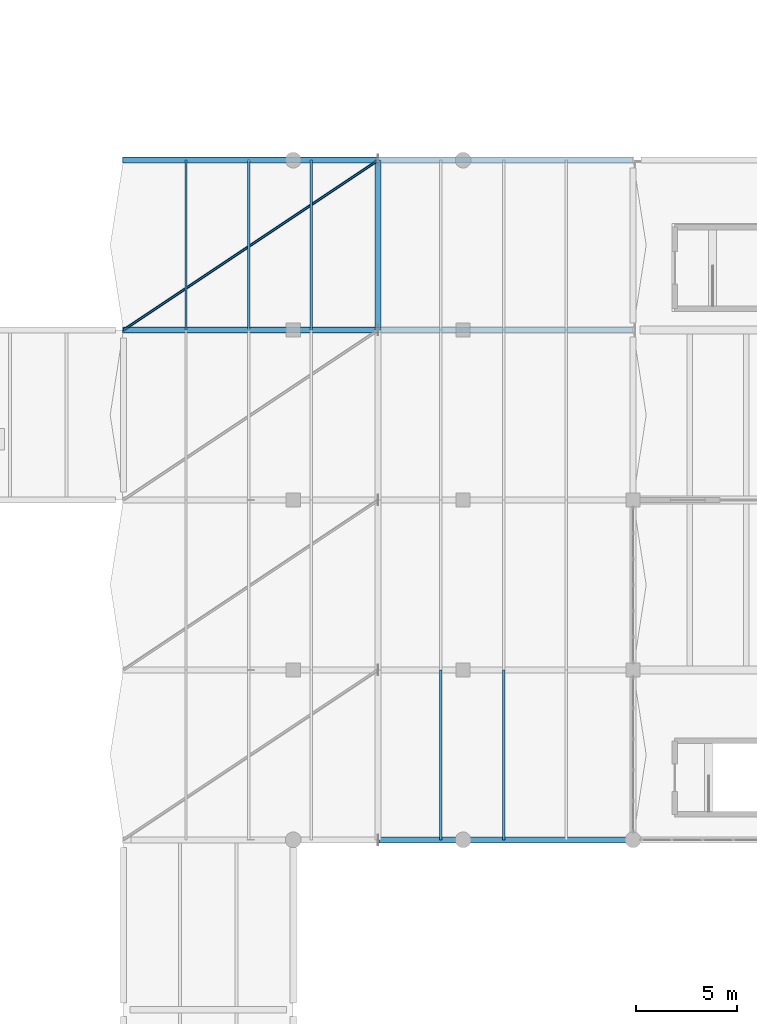
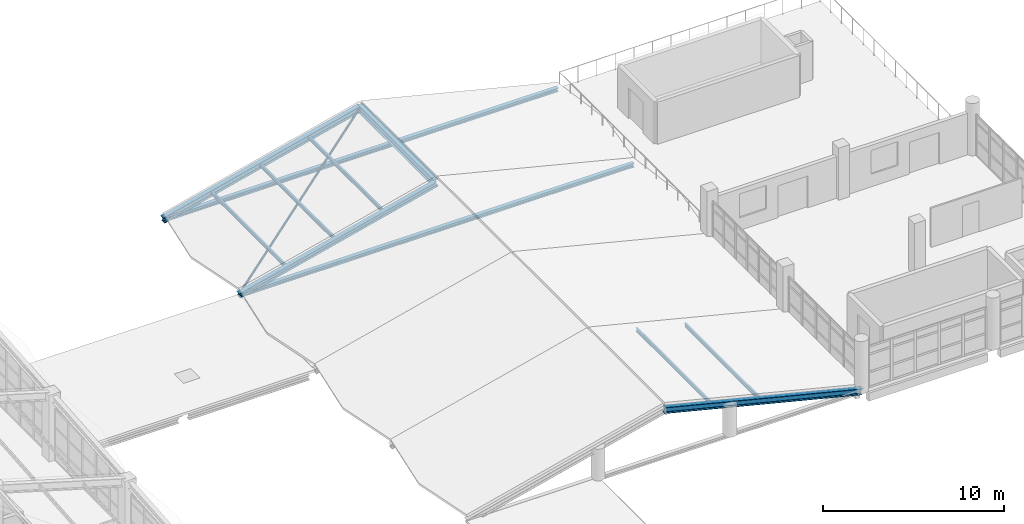
# One storey, part 52 of 95: 12 members.
"""IFC4 building model written with IfcOpenShell, lengths in metres."""

from ifc_helpers import new_model, si_unit, direction, frame, origin, origin_2d, place, context, subcontext, project, spatial, hollow_circle, i_section, extrude, material, material_profile, profile_set, type_object, element, save


model = new_model("IFC4")

# Units and contexts
model_context = context("Model", 3, precision=1e-05, world=origin(), true_north=direction((0.0, 1.0)))
body_context = subcontext(model_context, "Body", "Model", "MODEL_VIEW")
ifc_project = project(units=[si_unit("LENGTHUNIT", "METRE"), si_unit("AREAUNIT", "SQUARE_METRE"), si_unit("VOLUMEUNIT", "CUBIC_METRE"), si_unit("PLANEANGLEUNIT", "RADIAN"), si_unit("MASSUNIT", "GRAM", prefix="KILO"), si_unit("THERMODYNAMICTEMPERATUREUNIT", "KELVIN"), si_unit("POWERUNIT", "WATT")], contexts=[model_context])

# Site, building, storey
site_placement = place(None, origin())
site = spatial("IfcSite", under=ifc_project, at=site_placement, CompositionType="ELEMENT")
building_placement = place(site_placement, origin())
building = spatial("IfcBuilding", under=site, at=building_placement, Name="Mavoryth Pier Ferry Terminal", CompositionType="ELEMENT")
storey_placement = place(building_placement, frame((0.0, 0.0, 9.60009765625)))
storey = spatial("IfcBuildingStorey", under=building, at=storey_placement, Name="L02", CompositionType="ELEMENT", Elevation=9.60009765625)

# Members
ifc_material = material(Name="Steel S355J2", Category="steel")
ifc_material_profile_1 = material_profile(ifc_material, hollow_circle(Radius=0.06982421875, WallThickness=0.008056640625, at=origin_2d()), Name="CHS 139.7x8.0", Category="steel")
ifc_profile_set_1 = profile_set([ifc_material_profile_1], Name="Steel S355J2 - CHS 139.7x8.0")
member_type_1 = type_object("IfcMemberType", Name="Brace-Tie-CHS140", PredefinedType="BRACE", material=ifc_profile_set_1)
member_1_placement = place(storey_placement, frame((50.39990234375, 97.60009765625, -0.045654296875), z_axis=(0.814710583131, 0.543129864817, 0.203117246137), x_axis=(-0.55469275529, 0.832055254913, 0.0)))
element("IfcMember", 1, at=member_1_placement, inside=storey, type_object=member_type_1, Name="Steel Member MB-L02-0236", PredefinedType="BRACE", context=body_context, shape_type="SweptSolid", body=[
    extrude(hollow_circle(Radius=0.06982421875, WallThickness=0.008056640625, at=origin_2d()), origin(), (0.0, 0.0, 1.0), 15.4658203125),
])
ifc_material_profile_2 = material_profile(ifc_material, i_section(OverallWidth=0.300048828125, OverallDepth=0.489990234375, WebThickness=0.011962890625, FlangeThickness=0.02294921875, FilletRadius=0.027099609375, at=origin_2d()), Name="HEA 500", Category="steel")
ifc_profile_set_2 = profile_set([ifc_material_profile_2], Name="Steel S355J2 - HEA 500")
member_type_2 = type_object("IfcMemberType", Name="Chord-Ridge-HEA500", PredefinedType="CHORD", material=ifc_profile_set_2)
member_2_placement = place(storey_placement, frame((63.0, 97.60009765625, 3.095703125), z_axis=(0.0, 1.0, 0.0), x_axis=(-1.0, 0.0, 0.0)))
element("IfcMember", 2, at=member_2_placement, inside=storey, type_object=member_type_2, Name="Steel Member MB-L02-0229", PredefinedType="CHORD", context=body_context, shape_type="SweptSolid", body=[
    extrude(i_section(OverallWidth=0.300048828125, OverallDepth=0.489990234375, WebThickness=0.011962890625, FlangeThickness=0.02294921875, FilletRadius=0.027099609375, at=origin_2d()), origin(), (0.0, 0.0, 1.0), 8.39990234375),
])
ifc_material_profile_3 = material_profile(ifc_material, i_section(OverallWidth=0.260009765625, OverallDepth=0.25, WebThickness=0.007568359375, FlangeThickness=0.012451171875, FilletRadius=0.02392578125, at=origin_2d()), Name="HEA 260", Category="steel")
ifc_profile_set_3 = profile_set([ifc_material_profile_3], Name="Steel S355J2 - HEA 260")
member_type_3 = type_object("IfcMemberType", Name="Chord-Tie-HEA260", PredefinedType="CHORD", material=ifc_profile_set_3)
for number, where, z_axis, x_axis, name in (
    (3, (50.39990234375, 97.60009765625, -0.045654296875), (1.0, 0.0, 0.0), (0.0, 1.0, 0.0), "Steel Member MB-L02-0201"),
    (4, (50.39990234375, 106.0, -0.045654296875), (1.0, 0.0, 0.0), (0.0, 1.0, 0.0), "Steel Member MB-L02-0204"),
):
    element("IfcMember", number, at=place(storey_placement, frame(where, z_axis=z_axis, x_axis=x_axis)), inside=storey, type_object=member_type_3, Name=name, PredefinedType="CHORD", context=body_context, shape_type="SweptSolid", body=[
        extrude(i_section(OverallWidth=0.260009765625, OverallDepth=0.25, WebThickness=0.007568359375, FlangeThickness=0.012451171875, FilletRadius=0.02392578125, at=origin_2d()), origin(), (0.0, 0.0, 1.0), 25.2001953125),
    ])
ifc_material_profile_4 = material_profile(ifc_material, i_section(OverallWidth=0.1201171875, OverallDepth=0.239990234375, WebThickness=0.006103515625, FlangeThickness=0.009765625, FilletRadius=0.014892578125, at=origin_2d()), Name="IPE 240", Category="steel")
ifc_profile_set_4 = profile_set([ifc_material_profile_4], Name="Steel S355J2 - IPE 240")
member_type_4 = type_object("IfcMemberType", Name="Purlin-Roof-IPE240", PredefinedType="PURLIN", material=ifc_profile_set_4)
for number, where, z_axis, x_axis, name in (
    (5, (66.10009765625, 72.39990234375, 2.333740234375), (0.0, 1.0, 0.0), (-1.0, 0.0, 0.0), "Steel Member MB-L02-0209"),
    (6, (69.199951171875, 72.39990234375, 1.557373046875), (0.0, 1.0, 0.0), (-1.0, 0.0, 0.0), "Steel Member MB-L02-0210"),
):
    element("IfcMember", number, at=place(storey_placement, frame(where, z_axis=z_axis, x_axis=x_axis)), inside=storey, type_object=member_type_4, Name=name, PredefinedType="PURLIN", context=body_context, shape_type="SweptSolid", body=[
        extrude(i_section(OverallWidth=0.1201171875, OverallDepth=0.239990234375, WebThickness=0.006103515625, FlangeThickness=0.009765625, FilletRadius=0.014892578125, at=origin_2d()), origin(), (0.0, 0.0, 1.0), 8.400146484375),
    ])
for number, where, z_axis, x_axis, name in (
    (7, (53.5, 97.60009765625, 0.730712890625), (0.0, 1.0, 0.0), (-1.0, 0.0, 0.0), "Steel Member MB-L02-0230"),
    (8, (56.60009765625, 97.60009765625, 1.50732421875), (0.0, 1.0, 0.0), (-1.0, 0.0, 0.0), "Steel Member MB-L02-0231"),
    (9, (59.699951171875, 97.60009765625, 2.28369140625), (0.0, 1.0, 0.0), (-1.0, 0.0, 0.0), "Steel Member MB-L02-0232"),
):
    element("IfcMember", number, at=place(storey_placement, frame(where, z_axis=z_axis, x_axis=x_axis)), inside=storey, type_object=member_type_4, Name=name, PredefinedType="PURLIN", context=body_context, shape_type="SweptSolid", body=[
        extrude(i_section(OverallWidth=0.1201171875, OverallDepth=0.239990234375, WebThickness=0.006103515625, FlangeThickness=0.009765625, FilletRadius=0.014892578125, at=origin_2d()), origin(), (0.0, 0.0, 1.0), 8.39990234375),
    ])
ifc_material_profile_5 = material_profile(ifc_material, i_section(OverallWidth=0.300048828125, OverallDepth=0.340087890625, WebThickness=0.011962890625, FlangeThickness=0.021484375, FilletRadius=0.027099609375, at=origin_2d()), Name="HEB 340", Category="steel")
ifc_profile_set_5 = profile_set([ifc_material_profile_5], Name="Steel S355J2 - HEB 340")
member_type_5 = type_object("IfcMemberType", Name="Rafter-Pitched-HEB340", PredefinedType="RAFTER", material=ifc_profile_set_5)
member_3_placement = place(storey_placement, frame((50.39990234375, 97.60009765625, -0.045654296875), z_axis=(0.970299337146, 0.0, 0.241907412731), x_axis=(0.0, 1.0, 0.0)))
element("IfcMember", 10, at=member_3_placement, inside=storey, type_object=member_type_5, Name="Steel Member MB-L02-0199", PredefinedType="RAFTER", context=body_context, shape_type="SweptSolid", body=[
    extrude(i_section(OverallWidth=0.300048828125, OverallDepth=0.340087890625, WebThickness=0.011962890625, FlangeThickness=0.021484375, FilletRadius=0.027099609375, at=origin_2d()), origin(), (0.0, 0.0, 1.0), 12.98583984375),
])
ifc_material_profile_6 = material_profile(ifc_material, i_section(OverallWidth=0.300048828125, OverallDepth=0.39990234375, WebThickness=0.013427734375, FlangeThickness=0.02392578125, FilletRadius=0.027099609375, at=origin_2d()), Name="HEB 400", Category="steel")
ifc_profile_set_6 = profile_set([ifc_material_profile_6], Name="Steel S355J2 - HEB 400")
member_type_6 = type_object("IfcMemberType", Name="Rafter-Pitched-HEB400", PredefinedType="RAFTER", material=ifc_profile_set_6)
for number, where, z_axis, x_axis, name in (
    (11, (63.0, 72.39990234375, 3.095703125), (0.970299337146, 0.0, -0.241907412731), (0.0, 1.0, 0.0), "Steel Member MB-L02-0191"),
    (12, (50.39990234375, 106.0, -0.045654296875), (0.970299337146, 0.0, 0.241907412731), (0.0, 1.0, 0.0), "Steel Member MB-L02-0202"),
):
    element("IfcMember", number, at=place(storey_placement, frame(where, z_axis=z_axis, x_axis=x_axis)), inside=storey, type_object=member_type_6, Name=name, PredefinedType="RAFTER", context=body_context, shape_type="SweptSolid", body=[
        extrude(i_section(OverallWidth=0.300048828125, OverallDepth=0.39990234375, WebThickness=0.013427734375, FlangeThickness=0.02392578125, FilletRadius=0.027099609375, at=origin_2d()), origin(), (0.0, 0.0, 1.0), 12.98583984375),
    ])

save(model, "model.ifc")
